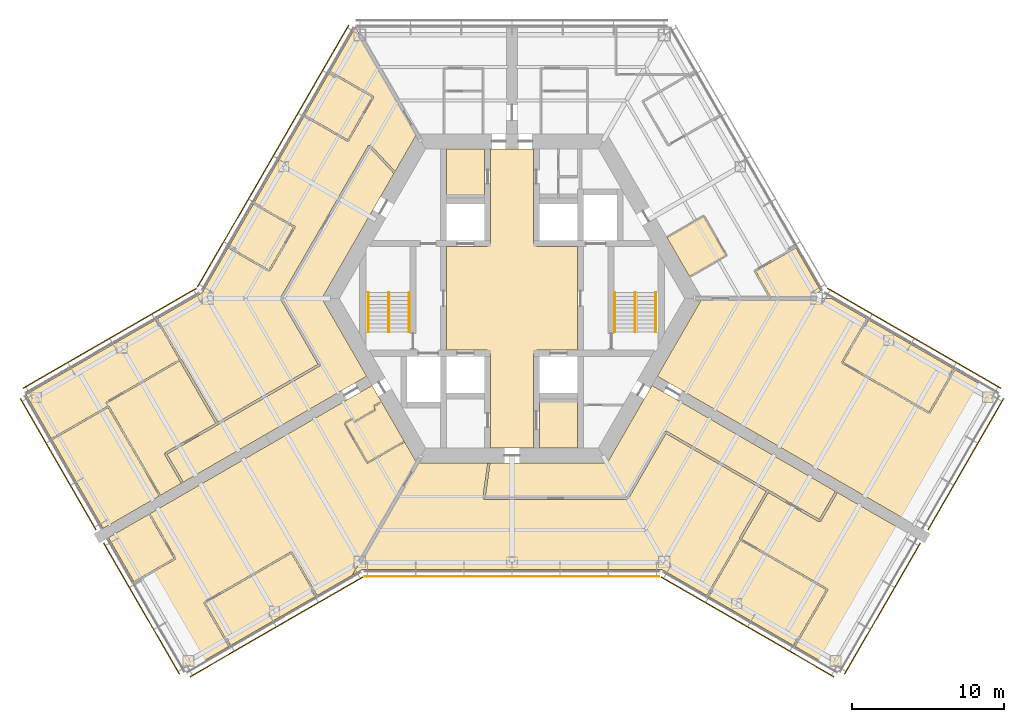
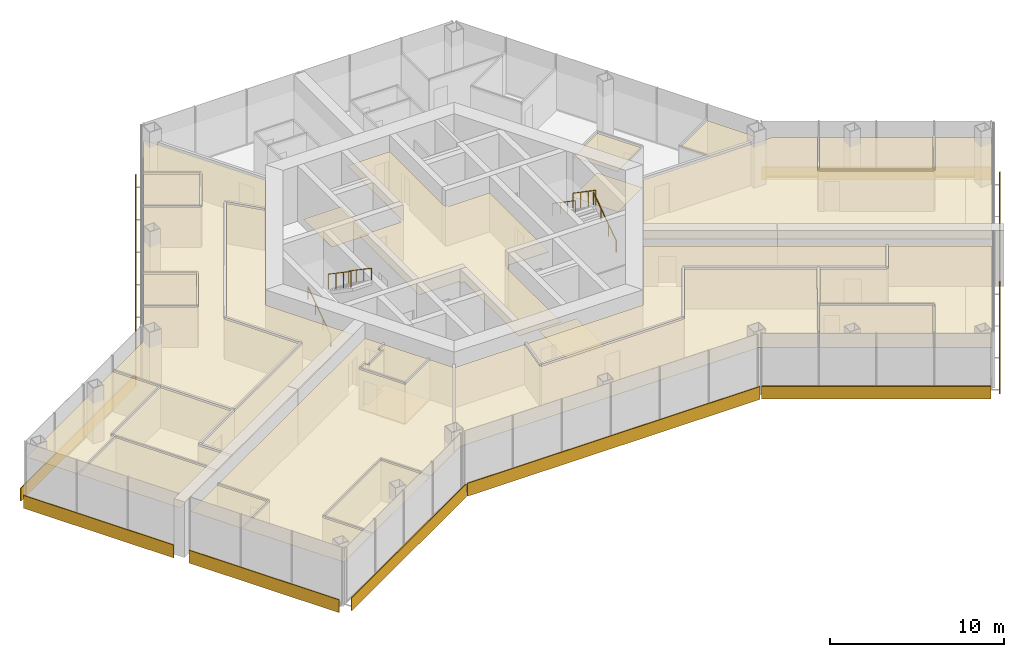
# One storey, part 17 of 18: 24 coverings, 10 shading devices, 6 railings.
"""IFC4 building model written with IfcOpenShell, lengths in metres."""

from ifc_helpers import new_model, si_unit, direction, frame, origin, origin_2d, place, context, subcontext, project, spatial, polyline, rectangle, circle, outline, extrude, material, layer, layer_set, type_object, element, save


model = new_model("IFC4")

# Units and contexts
model_context = context("Model", 3, precision=1e-05, world=origin(), true_north=direction((0.0, 1.0)))
body_context = subcontext(model_context, "Body", "Model", "MODEL_VIEW")
ifc_project = project(units=[si_unit("LENGTHUNIT", "METRE"), si_unit("AREAUNIT", "SQUARE_METRE"), si_unit("VOLUMEUNIT", "CUBIC_METRE"), si_unit("PLANEANGLEUNIT", "RADIAN"), si_unit("MASSUNIT", "GRAM", prefix="KILO")], contexts=[model_context])

# Site, building, storey
site_placement = place(None, origin())
site = spatial("IfcSite", under=ifc_project, at=site_placement, CompositionType="ELEMENT")
building_placement = place(site_placement, origin())
building = spatial("IfcBuilding", under=site, at=building_placement, Name="Kasaneha Research Tower", CompositionType="ELEMENT")
storey_placement = place(building_placement, frame((0.0, 0.0, 152.60009765625)))
storey = spatial("IfcBuildingStorey", under=building, at=storey_placement, Name="L38", CompositionType="ELEMENT", Elevation=152.60009765625)

# Covering
ifc_material_1 = material(Name="Aluminium panel ceiling", Category="aluminium")
ifc_layer_1 = layer(ifc_material_1, 0.0400390625)
ifc_layer_set_1 = layer_set([ifc_layer_1], Name="Lift lobby ceiling 40")
covering_type_1 = type_object("IfcCoveringType", Name="Lift lobby ceiling 40", PredefinedType="CEILING", material=ifc_layer_set_1)
covering_1_placement = place(storey_placement, frame((0.0, 0.0, 2.699951171875)))
element("IfcCovering", 1, at=covering_1_placement, inside=storey, type_object=covering_type_1, Name="Ceiling L38-01", PredefinedType="CEILING", context=body_context, shape_type="SweptSolid", body=[
    extrude(outline(polyline([(1.39990234375, 9.824951171875), (1.39990234375, 3.60009765625), (1.60009765625, 3.60009765625), (1.60009765625, 3.39990234375), (4.300048828125, 3.39990234375), (4.300048828125, -3.39990234375), (1.60009765625, -3.39990234375), (1.60009765625, -3.60009765625), (1.39990234375, -3.60009765625), (1.39990234375, -9.824951171875), (-1.39990234375, -9.824951171875), (-1.39990234375, -3.60009765625), (-1.60009765625, -3.60009765625), (-1.60009765625, -3.39990234375), (-4.300048828125, -3.39990234375), (-4.300048828125, 3.39990234375), (-1.60009765625, 3.39990234375), (-1.60009765625, 3.60009765625), (-1.39990234375, 3.60009765625), (-1.39990234375, 9.824951171875), (1.39990234375, 9.824951171875)])), origin(), (0.0, 0.0, 1.0), 0.0400390625),
])

# Railings
ifc_material_2 = material(Name="Steel", Category="steel")
railing_type_1 = type_object("IfcRailingType", Name="Stair balustrade 1100", PredefinedType="GUARDRAIL", material=ifc_material_2)
for number, where, name in (
    (2, (8.10009765625, 0.39990234375, 2.127197265625), "Stair 1 balustrade L38"),
    (3, (-8.10009765625, 0.39990234375, 2.127197265625), "Stair 2 balustrade L38"),
):
    element("IfcRailing", number, at=place(storey_placement, frame(where)), inside=storey, type_object=railing_type_1, Name=name, PredefinedType="GUARDRAIL", context=body_context, shape_type="SweptSolid", body=[
        extrude(circle(Radius=0.02392578125, at=origin_2d()), frame((0.0, 0.0, 1.076171875), z_axis=(0.0, -0.826215852431, 0.563353676824), x_axis=(1.0, 0.0, 0.0)), (0.0, 0.0, 1.0), 3.146728515625),
        extrude(circle(Radius=0.02099609375, at=origin_2d()), origin(), (0.0, 0.0, 1.0), 1.052001953125),
        extrude(circle(Radius=0.02099609375, at=origin_2d()), frame((0.0, -0.86669921875, 0.5908203125)), (0.0, 0.0, 1.0), 1.052001953125),
        extrude(circle(Radius=0.02099609375, at=origin_2d()), frame((0.0, -1.733154296875, 1.181884765625)), (0.0, 0.0, 1.0), 1.052001953125),
        extrude(circle(Radius=0.02099609375, at=origin_2d()), frame((0.0, -2.599853515625, 1.772705078125)), (0.0, 0.0, 1.0), 1.052001953125),
    ])
ifc_material_3 = material(Name="Steel", Category="steel")
railing_type_2 = type_object("IfcRailingType", Name="Stair handrail 850", PredefinedType="HANDRAIL", material=ifc_material_3)
railing_1_placement = place(storey_placement, frame((9.449951171875, -2.199951171875, 0.17724609375)))
element("IfcRailing", 4, at=railing_1_placement, inside=storey, type_object=railing_type_2, Name="Stair 1 handrail L38", PredefinedType="HANDRAIL", context=body_context, shape_type="SweptSolid", body=[
    extrude(circle(Radius=0.02392578125, at=origin_2d()), frame((0.0, 0.0, 0.826171875), z_axis=(0.0, 0.826215852431, 0.563353676824), x_axis=(-1.0, 0.0, 0.0)), (0.0, 0.0, 1.0), 3.146728515625),
    extrude(circle(Radius=0.02099609375, at=origin_2d()), origin(), (0.0, 0.0, 1.0), 0.802001953125),
    extrude(circle(Radius=0.02099609375, at=origin_2d()), frame((0.0, 0.86669921875, 0.5908203125)), (0.0, 0.0, 1.0), 0.802001953125),
    extrude(circle(Radius=0.02099609375, at=origin_2d()), frame((0.0, 1.733154296875, 1.181884765625)), (0.0, 0.0, 1.0), 0.802001953125),
    extrude(circle(Radius=0.02099609375, at=origin_2d()), frame((0.0, 2.599853515625, 1.772705078125)), (0.0, 0.0, 1.0), 0.802001953125),
])
railing_2_placement = place(storey_placement, frame((6.75, 0.39990234375, 2.127197265625)))
element("IfcRailing", 5, at=railing_2_placement, inside=storey, type_object=railing_type_2, Name="Stair 1 handrail L38", PredefinedType="HANDRAIL", context=body_context, shape_type="SweptSolid", body=[
    extrude(circle(Radius=0.02392578125, at=origin_2d()), frame((0.0, 0.0, 0.826171875), z_axis=(0.0, -0.826215852431, 0.563353676824), x_axis=(1.0, 0.0, 0.0)), (0.0, 0.0, 1.0), 3.146728515625),
    extrude(circle(Radius=0.02099609375, at=origin_2d()), origin(), (0.0, 0.0, 1.0), 0.802001953125),
    extrude(circle(Radius=0.02099609375, at=origin_2d()), frame((0.0, -0.86669921875, 0.5908203125)), (0.0, 0.0, 1.0), 0.802001953125),
    extrude(circle(Radius=0.02099609375, at=origin_2d()), frame((0.0, -1.733154296875, 1.181884765625)), (0.0, 0.0, 1.0), 0.802001953125),
    extrude(circle(Radius=0.02099609375, at=origin_2d()), frame((0.0, -2.599853515625, 1.772705078125)), (0.0, 0.0, 1.0), 0.802001953125),
])
railing_3_placement = place(storey_placement, frame((-9.449951171875, -2.199951171875, 0.17724609375)))
element("IfcRailing", 6, at=railing_3_placement, inside=storey, type_object=railing_type_2, Name="Stair 2 handrail L38", PredefinedType="HANDRAIL", context=body_context, shape_type="SweptSolid", body=[
    extrude(circle(Radius=0.02392578125, at=origin_2d()), frame((0.0, 0.0, 0.826171875), z_axis=(0.0, 0.826215852431, 0.563353676824), x_axis=(-1.0, 0.0, 0.0)), (0.0, 0.0, 1.0), 3.146728515625),
    extrude(circle(Radius=0.02099609375, at=origin_2d()), origin(), (0.0, 0.0, 1.0), 0.802001953125),
    extrude(circle(Radius=0.02099609375, at=origin_2d()), frame((0.0, 0.86669921875, 0.5908203125)), (0.0, 0.0, 1.0), 0.802001953125),
    extrude(circle(Radius=0.02099609375, at=origin_2d()), frame((0.0, 1.733154296875, 1.181884765625)), (0.0, 0.0, 1.0), 0.802001953125),
    extrude(circle(Radius=0.02099609375, at=origin_2d()), frame((0.0, 2.599853515625, 1.772705078125)), (0.0, 0.0, 1.0), 0.802001953125),
])
railing_4_placement = place(storey_placement, frame((-6.75, 0.39990234375, 2.127197265625)))
element("IfcRailing", 7, at=railing_4_placement, inside=storey, type_object=railing_type_2, Name="Stair 2 handrail L38", PredefinedType="HANDRAIL", context=body_context, shape_type="SweptSolid", body=[
    extrude(circle(Radius=0.02392578125, at=origin_2d()), frame((0.0, 0.0, 0.826171875), z_axis=(0.0, -0.826215852431, 0.563353676824), x_axis=(1.0, 0.0, 0.0)), (0.0, 0.0, 1.0), 3.146728515625),
    extrude(circle(Radius=0.02099609375, at=origin_2d()), origin(), (0.0, 0.0, 1.0), 0.802001953125),
    extrude(circle(Radius=0.02099609375, at=origin_2d()), frame((0.0, -0.86669921875, 0.5908203125)), (0.0, 0.0, 1.0), 0.802001953125),
    extrude(circle(Radius=0.02099609375, at=origin_2d()), frame((0.0, -1.733154296875, 1.181884765625)), (0.0, 0.0, 1.0), 0.802001953125),
    extrude(circle(Radius=0.02099609375, at=origin_2d()), frame((0.0, -2.599853515625, 1.772705078125)), (0.0, 0.0, 1.0), 0.802001953125),
])

# Coverings
ifc_material_4 = material(Name="Gypsum ceiling board", Category="gypsum")
ifc_layer_2 = layer(ifc_material_4, 0.02001953125)
ifc_layer_set_2 = layer_set([ifc_layer_2], Name="Suspended ceiling 20")
covering_type_2 = type_object("IfcCoveringType", Name="Suspended ceiling 20", PredefinedType="CEILING", material=ifc_layer_set_2)
covering_2_placement = place(storey_placement, frame((0.0, 0.0, 2.7998046875)))
element("IfcCovering", 8, at=covering_2_placement, inside=storey, type_object=covering_type_2, Name="Ceiling L38-27", PredefinedType="CEILING", context=body_context, shape_type="SweptSolid", body=[
    extrude(outline(polyline([(10.1748046875, 4.02685546875), (10.192138671875, 4.036865234375), (10.217041015625, 3.99365234375), (12.581298828125, 5.358642578125), (14.03125, 2.84716796875), (11.6669921875, 1.482177734375), (11.692138671875, 1.438720703125), (11.6748046875, 1.4287109375), (10.1748046875, 4.02685546875)])), origin(), (0.0, 0.0, 1.0), 0.02001953125),
])
covering_3_placement = place(storey_placement, frame((0.0, 0.0, 2.7998046875)))
element("IfcCovering", 9, at=covering_3_placement, inside=storey, type_object=covering_type_2, Name="Ceiling L38-29", PredefinedType="CEILING", context=body_context, shape_type="SweptSolid", body=[
    extrude(outline(polyline([(19.41845703125, 0.0), (16.997802734375, 0.0), (16.986328125, 0.02001953125), (17.029541015625, 0.044921875), (16.020751953125, 1.792236328125), (18.644775390625, 3.30712890625), (18.619873046875, 3.3505859375), (18.63720703125, 3.360595703125), (20.28759765625, 0.501708984375), (19.41845703125, 0.0)])), origin(), (0.0, 0.0, 1.0), 0.02001953125),
])
covering_4_placement = place(storey_placement, frame((0.0, 0.0, 2.7998046875)))
element("IfcCovering", 10, at=covering_4_placement, inside=storey, type_object=covering_type_2, Name="Ceiling L38-35", PredefinedType="CEILING", context=body_context, shape_type="SweptSolid", body=[
    extrude(outline(polyline([(-9.5498046875, -5.109375), (-10.3291015625, -5.559326171875), (-10.3291015625, -5.559326171875), (-12.17041015625, -6.622314453125), (-21.670166015625, -12.107177734375), (-21.68017578125, -12.08984375), (-21.615234375, -12.05224609375), (-22.667724609375, -10.229248046875), (-19.333984375, -8.3046875), (-19.333984375, -8.3046875), (-12.60400390625, -4.4189453125), (-12.6416015625, -4.35400390625), (-12.57666015625, -4.316650390625), (-15.06884765625, 0.0), (-9.345947265625, 9.912353515625), (-7.7890625, 8.24267578125), (-7.734130859375, 8.2939453125), (-7.719970703125, 8.278564453125), (-12.49951171875, 0.0), (-9.5498046875, -5.109375)])), origin(), (0.0, 0.0, 1.0), 0.02001953125),
])
covering_5_placement = place(storey_placement, frame((0.0, 0.0, 2.7998046875)))
element("IfcCovering", 11, at=covering_5_placement, inside=storey, type_object=covering_type_2, Name="Ceiling L38-36", PredefinedType="CEILING", context=body_context, shape_type="SweptSolid", body=[
    extrude(outline(polyline([(-12.000244140625, 14.85595703125), (-9.185791015625, 13.23095703125), (-10.80126953125, 10.432861328125), (-13.598388671875, 12.0478515625), (-13.623291015625, 12.004638671875), (-13.640869140625, 12.0146484375), (-12.000244140625, 14.85595703125)])), origin(), (0.0, 0.0, 1.0), 0.02001953125),
])
covering_6_placement = place(storey_placement, frame((0.0, 0.0, 2.7998046875)))
element("IfcCovering", 12, at=covering_6_placement, inside=storey, type_object=covering_type_2, Name="Ceiling L38-37", PredefinedType="CEILING", context=body_context, shape_type="SweptSolid", body=[
    extrude(outline(polyline([(-30.224609375, -9.290283203125), (-26.544677734375, -7.172119140625), (-23.19580078125, -12.96484375), (-23.15234375, -12.93994140625), (-23.142333984375, -12.95703125), (-25.3876953125, -14.25341796875), (-26.866455078125, -15.107177734375), (-30.224609375, -9.290283203125)])), origin(), (0.0, 0.0, 1.0), 0.02001953125),
])
covering_7_placement = place(storey_placement, frame((0.0, 0.0, 2.7998046875)))
element("IfcCovering", 13, at=covering_7_placement, inside=storey, type_object=covering_type_2, Name="Ceiling L38-38", PredefinedType="CEILING", context=body_context, shape_type="SweptSolid", body=[
    extrude(outline(polyline([(-16.99658203125, 6.201904296875), (-14.355224609375, 4.677001953125), (-15.970703125, 1.87890625), (-18.5947265625, 3.393798828125), (-18.619873046875, 3.3505859375), (-18.63720703125, 3.360595703125), (-16.99658203125, 6.201904296875)])), origin(), (0.0, 0.0, 1.0), 0.02001953125),
])
covering_8_placement = place(storey_placement, frame((0.0, 0.0, 2.7998046875)))
element("IfcCovering", 14, at=covering_8_placement, inside=storey, type_object=covering_type_2, Name="Ceiling L38-39", PredefinedType="CEILING", context=body_context, shape_type="SweptSolid", body=[
    extrude(outline(polyline([(-23.332275390625, -1.36962890625), (-23.37548828125, -1.39453125), (-21.866455078125, -4.017578125), (-26.691162109375, -6.808837890625), (-26.663818359375, -6.85595703125), (-26.525390625, -7.0966796875), (-26.52587890625, -7.096923828125), (-26.5478515625, -7.058349609375), (-30.275146484375, -9.203857421875), (-31.94189453125, -6.31689453125), (-29.075439453125, -4.661865234375), (-28.665771484375, -5.370849609375), (-29.074951171875, -4.662109375), (-23.34228515625, -1.352294921875), (-23.332275390625, -1.36962890625)])), origin(), (0.0, 0.0, 1.0), 0.02001953125),
])
covering_9_placement = place(storey_placement, frame((0.0, 0.0, 2.7998046875)))
element("IfcCovering", 15, at=covering_9_placement, inside=storey, type_object=covering_type_2, Name="Ceiling L38-40", PredefinedType="CEILING", context=body_context, shape_type="SweptSolid", body=[
    extrude(outline(polyline([(-9.360595703125, 10.037841796875), (-9.360595703125, 10.037841796875), (-9.425048828125, 10.0751953125), (-15.220458984375, 0.03759765625), (-15.15576171875, 0.000244140625), (-15.156005859375, 0.000244140625), (-15.15576171875, -0.000244140625), (-15.220458984375, -0.03759765625), (-12.744140625, -4.32666015625), (-19.33544921875, -8.13232421875), (-21.72900390625, -3.995849609375), (-21.7548828125, -4.0107421875), (-23.288818359375, -1.3447265625), (-23.331787109375, -1.369384765625), (-23.341796875, -1.35205078125), (-20.365966796875, 0.365966796875), (-18.637451171875, 3.360107421875), (-18.6201171875, 3.35009765625), (-18.644775390625, 3.30712890625), (-15.9775390625, 1.76708984375), (-15.952392578125, 1.810546875), (-15.9521484375, 1.810302734375), (-15.9521484375, 1.810302734375), (-15.9091796875, 1.785400390625), (-14.24365234375, 4.670166015625), (-14.28662109375, 4.695068359375), (-14.28662109375, 4.6953125), (-14.286865234375, 4.695556640625), (-14.261962890625, 4.738525390625), (-16.94677734375, 6.28857421875), (-13.64111328125, 12.01416015625), (-13.62353515625, 12.004150390625), (-13.6484375, 11.961181640625), (-10.807861328125, 10.3212890625), (-10.782958984375, 10.3642578125), (-10.78271484375, 10.364013671875), (-10.782470703125, 10.3642578125), (-10.739501953125, 10.339599609375), (-9.07421875, 13.22412109375), (-9.116943359375, 13.2490234375), (-9.116943359375, 13.2490234375), (-9.117431640625, 13.249267578125), (-9.09228515625, 13.29248046875), (-11.9501953125, 14.9423828125), (-10.28857421875, 17.820556640625), (-6.249755859375, 10.824951171875), (-7.6806640625, 8.346435546875), (-9.305419921875, 10.0888671875), (-9.360107421875, 10.03759765625), (-9.3603515625, 10.03759765625), (-9.360595703125, 10.037841796875)])), origin(), (0.0, 0.0, 1.0), 0.02001953125),
])
covering_10_placement = place(storey_placement, frame((0.0, 0.0, 2.7998046875)))
element("IfcCovering", 16, at=covering_10_placement, inside=storey, type_object=covering_type_2, Name="Ceiling L38-41", PredefinedType="CEILING", context=body_context, shape_type="SweptSolid", body=[
    extrude(outline(polyline([(-22.574462890625, -12.629150390625), (-23.14208984375, -12.956787109375), (-23.152099609375, -12.939453125), (-23.109130859375, -12.914794921875), (-26.48583984375, -7.073974609375), (-26.52490234375, -7.096435546875), (-26.65966796875, -6.863037109375), (-26.64111328125, -6.895263671875), (-21.833740234375, -4.1142578125), (-19.46533203125, -8.207275390625), (-22.8076171875, -10.136962890625), (-22.770263671875, -10.201904296875), (-22.835205078125, -10.239501953125), (-21.7451171875, -12.127197265625), (-21.6806640625, -12.090087890625), (-21.670654296875, -12.107421875), (-22.574462890625, -12.629150390625)])), origin(), (0.0, 0.0, 1.0), 0.02001953125),
])
covering_11_placement = place(storey_placement, frame((0.0, 0.0, 2.7998046875)))
element("IfcCovering", 17, at=covering_11_placement, inside=storey, type_object=covering_type_2, Name="Ceiling L38-42", PredefinedType="CEILING", context=body_context, shape_type="SweptSolid", body=[
    extrude(outline(polyline([(-10.35498046875, -8.11474609375), (-10.35498046875, -8.11474609375), (-10.330078125, -8.157958984375), (-8.9443359375, -7.35791015625), (-8.994384765625, -7.271240234375), (-8.994384765625, -7.271240234375), (-9.09423828125, -7.09814453125), (-9.09423828125, -7.09814453125), (-9.0693359375, -7.141357421875), (-8.56689453125, -6.851318359375), (-8.592041015625, -6.80810546875), (-8.57470703125, -6.798095703125), (-7.07470703125, -9.396240234375), (-7.092041015625, -9.40625), (-7.116943359375, -9.36279296875), (-9.481201171875, -10.727783203125), (-10.931396484375, -8.21630859375), (-10.455078125, -7.94140625), (-10.35498046875, -8.11474609375)])), origin(), (0.0, 0.0, 1.0), 0.02001953125),
])
covering_12_placement = place(storey_placement, frame((0.0, 0.0, 2.7998046875)))
element("IfcCovering", 18, at=covering_12_placement, inside=storey, type_object=covering_type_2, Name="Ceiling L38-43", PredefinedType="CEILING", context=body_context, shape_type="SweptSolid", body=[
    extrude(outline(polyline([(-18.574951171875, -22.8486328125), (-18.5849609375, -22.831298828125), (-18.541748046875, -22.806396484375), (-20.15673828125, -20.009033203125), (-14.510498046875, -16.749267578125), (-12.885498046875, -19.563720703125), (-18.574951171875, -22.8486328125)])), origin(), (0.0, 0.0, 1.0), 0.02001953125),
])
covering_13_placement = place(storey_placement, frame((0.0, 0.0, 2.7998046875)))
element("IfcCovering", 19, at=covering_13_placement, inside=storey, type_object=covering_type_2, Name="Ceiling L38-44", PredefinedType="CEILING", context=body_context, shape_type="SweptSolid", body=[
    extrude(outline(polyline([(-23.83154296875, -14.163330078125), (-23.82177734375, -14.1806640625), (-23.864990234375, -14.205810546875), (-22.208251953125, -17.0751953125), (-24.849609375, -18.60009765625), (-26.516357421875, -15.71337890625), (-23.83154296875, -14.163330078125)])), origin(), (0.0, 0.0, 1.0), 0.02001953125),
])
covering_14_placement = place(storey_placement, frame((0.0, 0.0, 2.7998046875)))
element("IfcCovering", 20, at=covering_14_placement, inside=storey, type_object=covering_type_2, Name="Ceiling L38-45", PredefinedType="CEILING", context=body_context, shape_type="SweptSolid", body=[
    extrude(outline(polyline([(-9.979248046875, -6.16552734375), (-9.979248046875, -6.16552734375), (-9.19970703125, -5.715576171875), (-8.574951171875, -6.797607421875), (-8.59228515625, -6.8076171875), (-8.616943359375, -6.764892578125), (-9.119384765625, -7.0546875), (-9.094482421875, -7.09765625), (-9.0947265625, -7.097900390625), (-8.99462890625, -7.271484375), (-10.379638671875, -8.071044921875), (-10.47998046875, -7.897705078125), (-10.480224609375, -7.897705078125), (-10.5048828125, -7.854736328125), (-11.024658203125, -8.15478515625), (-10.999755859375, -8.19775390625), (-11.0, -8.197998046875), (-11.0, -8.1982421875), (-11.04296875, -8.22314453125), (-9.54296875, -10.8212890625), (-9.5, -10.79638671875), (-9.5, -10.796630859375), (-9.49951171875, -10.79638671875), (-9.474609375, -10.839599609375), (-7.06689453125, -9.449462890625), (-7.091796875, -9.40673828125), (-7.074462890625, -9.396728515625), (-6.249755859375, -10.824951171875), (-10.5, -18.1865234375), (-12.798828125, -19.513916015625), (-14.448974609375, -16.656005859375), (-14.4921875, -16.680908203125), (-14.51708984375, -16.6376953125), (-20.25, -19.947509765625), (-20.225341796875, -19.990234375), (-20.225341796875, -19.990478515625), (-20.22509765625, -19.99072265625), (-20.268310546875, -20.015625), (-18.62841796875, -22.856201171875), (-18.58544921875, -22.83154296875), (-18.575439453125, -22.848876953125), (-21.44140625, -24.50341796875), (-24.7998046875, -18.686767578125), (-22.114990234375, -17.13671875), (-22.139892578125, -17.09375), (-22.139404296875, -17.093505859375), (-22.1396484375, -17.09326171875), (-22.0966796875, -17.068359375), (-23.7783203125, -14.15576171875), (-23.8212890625, -14.180419921875), (-23.831298828125, -14.1630859375), (-10.84521484375, -6.66552734375), (-10.84521484375, -6.66552734375), (-9.979248046875, -6.16552734375)])), origin(), (0.0, 0.0, 1.0), 0.02001953125),
])
covering_15_placement = place(storey_placement, frame((0.0, 0.0, 2.7998046875)))
element("IfcCovering", 21, at=covering_15_placement, inside=storey, type_object=covering_type_2, Name="Ceiling L38-46", PredefinedType="CEILING", context=body_context, shape_type="SweptSolid", body=[
    extrude(outline(polyline([(29.03173828125, -4.636962890625), (27.40673828125, -7.45166015625), (21.760498046875, -4.19189453125), (23.37548828125, -1.39453125), (23.332275390625, -1.36962890625), (23.34228515625, -1.352294921875), (29.03173828125, -4.636962890625)])), origin(), (0.0, 0.0, 1.0), 0.02001953125),
])
covering_16_placement = place(storey_placement, frame((0.0, 0.0, 2.7998046875)))
element("IfcCovering", 22, at=covering_16_placement, inside=storey, type_object=covering_type_2, Name="Ceiling L38-47", PredefinedType="CEILING", context=body_context, shape_type="SweptSolid", body=[
    extrude(outline(polyline([(9.5498046875, -5.109375), (12.49951171875, 0.0), (16.93994140625, 0.0), (16.94287109375, -0.0048828125), (16.95166015625, 0.0), (21.0, 0.0), (23.341796875, -1.35205078125), (23.331787109375, -1.369384765625), (23.288818359375, -1.344482421875), (21.64892578125, -4.185302734375), (21.692138671875, -4.210205078125), (21.69189453125, -4.21044921875), (21.69189453125, -4.210693359375), (21.667236328125, -4.25341796875), (27.39990234375, -7.563232421875), (27.425048828125, -7.52001953125), (27.46826171875, -7.544921875), (29.1181640625, -4.68701171875), (31.94140625, -6.31689453125), (26.866455078125, -15.107177734375), (14.286376953125, -7.843994140625), (10.3291015625, -5.559326171875), (10.3291015625, -5.559326171875), (9.5498046875, -5.109375)])), origin(), (0.0, 0.0, 1.0), 0.02001953125),
])
covering_17_placement = place(storey_placement, frame((0.0, 0.0, 2.7998046875)))
element("IfcCovering", 23, at=covering_17_placement, inside=storey, type_object=covering_type_2, Name="Ceiling L38-48", PredefinedType="CEILING", context=body_context, shape_type="SweptSolid", body=[
    extrude(outline(polyline([(10.091552734375, -8.77099609375), (10.026611328125, -8.7333984375), (7.534423828125, -13.050048828125), (-1.75830078125, -13.050048828125), (-1.449951171875, -10.85546875), (-1.524169921875, -10.844970703125), (-1.521240234375, -10.824951171875), (6.249755859375, -10.824951171875), (9.19970703125, -5.715576171875), (9.979248046875, -6.16552734375), (9.979248046875, -6.16552734375), (10.84521484375, -6.66552734375), (10.84521484375, -6.66552734375), (16.76171875, -10.08154296875), (21.320068359375, -12.71337890625), (21.310302734375, -12.730712890625), (21.245361328125, -12.693115234375), (20.19287109375, -14.51611328125), (16.850341796875, -12.58642578125), (16.850341796875, -12.58642578125), (10.129150390625, -8.7060546875), (10.091552734375, -8.77099609375), (10.091552734375, -8.770751953125), (10.091552734375, -8.77099609375)])), origin(), (0.0, 0.0, 1.0), 0.02001953125),
])
covering_18_placement = place(storey_placement, frame((0.0, 0.0, 2.7998046875)))
element("IfcCovering", 24, at=covering_18_placement, inside=storey, type_object=covering_type_2, Name="Ceiling L38-49", PredefinedType="CEILING", context=body_context, shape_type="SweptSolid", body=[
    extrude(outline(polyline([(12.885498046875, -19.563720703125), (15.012451171875, -15.889404296875), (20.65673828125, -19.14306640625), (18.541748046875, -22.806396484375), (18.5849609375, -22.831298828125), (18.574951171875, -22.8486328125), (12.885498046875, -19.563720703125)])), origin(), (0.0, 0.0, 1.0), 0.02001953125),
])
covering_19_placement = place(storey_placement, frame((0.0, 0.0, 2.7998046875)))
element("IfcCovering", 25, at=covering_19_placement, inside=storey, type_object=covering_type_2, Name="Ceiling L38-50", PredefinedType="CEILING", context=body_context, shape_type="SweptSolid", body=[
    extrude(outline(polyline([(-6.249755859375, -10.824951171875), (-1.52197265625, -10.824951171875), (-1.524658203125, -10.844970703125), (-1.598388671875, -10.83447265625), (-1.9189453125, -13.114501953125), (-1.8447265625, -13.125), (-1.8447265625, -13.12548828125), (-1.844482421875, -13.12548828125), (-1.844482421875, -13.199951171875), (7.57763671875, -13.199951171875), (7.57763671875, -13.12548828125), (7.577880859375, -13.12548828125), (7.577880859375, -13.125244140625), (7.642578125, -13.16259765625), (10.119140625, -8.873291015625), (16.71044921875, -12.678955078125), (14.9248046875, -15.78125), (14.95068359375, -15.796142578125), (12.798828125, -19.513916015625), (9.865966796875, -17.820556640625), (-9.865966796875, -17.820556640625), (-10.5, -18.1865234375), (-6.249755859375, -10.824951171875)])), origin(), (0.0, 0.0, 1.0), 0.02001953125),
])
covering_20_placement = place(storey_placement, frame((0.0, 0.0, 2.7998046875)))
element("IfcCovering", 26, at=covering_20_placement, inside=storey, type_object=covering_type_2, Name="Ceiling L38-51", PredefinedType="CEILING", context=body_context, shape_type="SweptSolid", body=[
    extrude(outline(polyline([(20.220458984375, -14.61865234375), (20.28515625, -14.656005859375), (21.375244140625, -12.768310546875), (21.310546875, -12.73095703125), (21.320556640625, -12.713623046875), (25.57421875, -15.16943359375), (26.516357421875, -15.71337890625), (21.44140625, -24.50341796875), (18.575439453125, -22.848876953125), (18.58544921875, -22.83154296875), (18.62841796875, -22.856201171875), (20.768310546875, -19.149658203125), (20.72509765625, -19.124755859375), (20.725341796875, -19.12451171875), (20.725341796875, -19.124267578125), (20.75, -19.081298828125), (15.079833984375, -15.812744140625), (16.84033203125, -12.75390625), (20.1826171875, -14.68359375), (20.219970703125, -14.618896484375), (20.22021484375, -14.619140625), (20.220458984375, -14.61865234375)])), origin(), (0.0, 0.0, 1.0), 0.02001953125),
])

# Shading devices
ifc_material_5 = material(Name="Terracotta", Category="masonry")
ifc_layer_3 = layer(ifc_material_5, 0.06005859375)
ifc_layer_set_3 = layer_set([ifc_layer_3], Name="Terracotta baguette screen")
shading_device_type = type_object("IfcShadingDeviceType", Name="Terracotta baguette screen", PredefinedType="USERDEFINED", material=ifc_layer_set_3)
shading_device_1_placement = place(storey_placement, frame((0.0, -18.2705078125, -0.449951171875), z_axis=(0.0, 0.0, 1.0), x_axis=(1.0, 0.0, 0.0)))
element("IfcShadingDevice", 27, at=shading_device_1_placement, inside=storey, type_object=shading_device_type, Name="Baguette screen L38 01", ObjectType="TERRACOTTA BAGUETTE SCREEN", PredefinedType="USERDEFINED", context=body_context, shape_type="SweptSolid", body=[
    extrude(rectangle(XDim=19.37841796875, YDim=0.06005859375, at=origin_2d()), origin(), (0.0, 0.0, 1.0), 0.89990234375),
])
shading_device_2_placement = place(storey_placement, frame((15.483642578125, -21.58349609375, -0.449951171875), z_axis=(0.0, 0.0, 1.0), x_axis=(0.866025411464, -0.499999986699, 0.0)))
element("IfcShadingDevice", 28, at=shading_device_2_placement, inside=storey, type_object=shading_device_type, Name="Baguette screen L38 02", ObjectType="TERRACOTTA BAGUETTE SCREEN", PredefinedType="USERDEFINED", context=body_context, shape_type="SweptSolid", body=[
    extrude(rectangle(XDim=13.13916015625, YDim=0.06005859375, at=origin_2d()), origin(), (0.0, 0.0, 1.0), 0.89990234375),
])
for number, where, z_axis, x_axis, name in (
    (29, (24.343505859375, -20.376708984375, -0.449951171875), (0.0, 0.0, 1.0), (0.500000011442, 0.866025397178, 0.0), "Baguette screen L38 03"),
    (30, (29.818603515625, -10.893798828125, -0.449951171875), (0.0, 0.0, 1.0), (0.500000011442, 0.866025397178, 0.0), "Baguette screen L38 04"),
):
    element("IfcShadingDevice", number, at=place(storey_placement, frame(where, z_axis=z_axis, x_axis=x_axis)), inside=storey, type_object=shading_device_type, Name=name, ObjectType="TERRACOTTA BAGUETTE SCREEN", PredefinedType="USERDEFINED", context=body_context, shape_type="SweptSolid", body=[
        extrude(rectangle(XDim=9.949951171875, YDim=0.06005859375, at=origin_2d()), origin(), (0.0, 0.0, 1.0), 0.89990234375),
    ])
shading_device_3_placement = place(storey_placement, frame((26.43359375, -2.617431640625, -0.449951171875), z_axis=(0.0, 0.0, 1.0), x_axis=(-0.866025411464, 0.499999986699, 0.0)))
element("IfcShadingDevice", 31, at=shading_device_3_placement, inside=storey, type_object=shading_device_type, Name="Baguette screen L38 05", ObjectType="TERRACOTTA BAGUETTE SCREEN", PredefinedType="USERDEFINED", context=body_context, shape_type="SweptSolid", body=[
    extrude(rectangle(XDim=13.13916015625, YDim=0.06005859375, at=origin_2d()), origin(), (0.0, 0.0, 1.0), 0.89990234375),
])
shading_device_4_placement = place(storey_placement, frame((-15.696044921875, 9.35498046875, -0.449951171875), z_axis=(0.0, 0.0, 1.0), x_axis=(-0.499999979232, -0.866025415775, 0.0)))
element("IfcShadingDevice", 32, at=shading_device_4_placement, inside=storey, type_object=shading_device_type, Name="Baguette screen L38 08", ObjectType="TERRACOTTA BAGUETTE SCREEN", PredefinedType="USERDEFINED", context=body_context, shape_type="SweptSolid", body=[
    extrude(rectangle(XDim=19.8857421875, YDim=0.06005859375, at=origin_2d()), origin(), (0.0, 0.0, 1.0), 0.89990234375),
])
shading_device_5_placement = place(storey_placement, frame((-26.43359375, -2.617431640625, -0.449951171875), z_axis=(0.0, 0.0, 1.0), x_axis=(-0.866025411464, -0.499999986699, 0.0)))
element("IfcShadingDevice", 33, at=shading_device_5_placement, inside=storey, type_object=shading_device_type, Name="Baguette screen L38 09", ObjectType="TERRACOTTA BAGUETTE SCREEN", PredefinedType="USERDEFINED", context=body_context, shape_type="SweptSolid", body=[
    extrude(rectangle(XDim=13.13916015625, YDim=0.06005859375, at=origin_2d()), origin(), (0.0, 0.0, 1.0), 0.89990234375),
])
for number, where, z_axis, x_axis, name in (
    (34, (-29.818603515625, -10.893798828125, -0.449951171875), (0.0, 0.0, 1.0), (0.500000011442, -0.866025397178, 0.0), "Baguette screen L38 10"),
    (35, (-24.343505859375, -20.376708984375, -0.449951171875), (0.0, 0.0, 1.0), (0.500000011442, -0.866025397178, 0.0), "Baguette screen L38 11"),
):
    element("IfcShadingDevice", number, at=place(storey_placement, frame(where, z_axis=z_axis, x_axis=x_axis)), inside=storey, type_object=shading_device_type, Name=name, ObjectType="TERRACOTTA BAGUETTE SCREEN", PredefinedType="USERDEFINED", context=body_context, shape_type="SweptSolid", body=[
        extrude(rectangle(XDim=9.949951171875, YDim=0.06005859375, at=origin_2d()), origin(), (0.0, 0.0, 1.0), 0.89990234375),
    ])
shading_device_6_placement = place(storey_placement, frame((-15.483642578125, -21.58349609375, -0.449951171875), z_axis=(0.0, 0.0, 1.0), x_axis=(0.866025411464, 0.499999986699, 0.0)))
element("IfcShadingDevice", 36, at=shading_device_6_placement, inside=storey, type_object=shading_device_type, Name="Baguette screen L38 12", ObjectType="TERRACOTTA BAGUETTE SCREEN", PredefinedType="USERDEFINED", context=body_context, shape_type="SweptSolid", body=[
    extrude(rectangle(XDim=13.13916015625, YDim=0.06005859375, at=origin_2d()), origin(), (0.0, 0.0, 1.0), 0.89990234375),
])

# Coverings
ifc_material_6 = material(Name="Vinyl sheet flooring", Category="plastic")
ifc_layer_4 = layer(ifc_material_6, 0.0048828125)
ifc_layer_set_4 = layer_set([ifc_layer_4], Name="Wet room sheet flooring 5")
covering_type_3 = type_object("IfcCoveringType", Name="Wet room sheet flooring 5", PredefinedType="FLOORING", material=ifc_layer_set_4)
covering_21_placement = place(storey_placement, origin())
element("IfcCovering", 37, at=covering_21_placement, inside=storey, type_object=covering_type_3, Name="Floor finish L38-06", PredefinedType="FLOORING", context=body_context, shape_type="SweptSolid", body=[
    extrude(outline(polyline([(-1.800048828125, 9.824951171875), (-1.800048828125, 6.60009765625), (-4.300048828125, 6.60009765625), (-4.300048828125, 9.824951171875), (-1.800048828125, 9.824951171875)])), origin(), (0.0, 0.0, 1.0), 0.0048828125),
])
covering_22_placement = place(storey_placement, origin())
element("IfcCovering", 38, at=covering_22_placement, inside=storey, type_object=covering_type_3, Name="Floor finish L38-11", PredefinedType="FLOORING", context=body_context, shape_type="SweptSolid", body=[
    extrude(outline(polyline([(1.800048828125, -9.824951171875), (1.800048828125, -6.60009765625), (4.300048828125, -6.60009765625), (4.300048828125, -9.824951171875), (1.800048828125, -9.824951171875)])), origin(), (0.0, 0.0, 1.0), 0.0048828125),
])
covering_23_placement = place(storey_placement, origin())
element("IfcCovering", 39, at=covering_23_placement, inside=storey, type_object=covering_type_3, Name="Floor finish L38-27", PredefinedType="FLOORING", context=body_context, shape_type="SweptSolid", body=[
    extrude(outline(polyline([(14.099609375, 2.828857421875), (11.6748046875, 1.4287109375), (10.1748046875, 4.02685546875), (12.599609375, 5.4267578125), (14.099609375, 2.828857421875)])), origin(), (0.0, 0.0, 1.0), 0.0048828125),
])
covering_24_placement = place(storey_placement, origin())
element("IfcCovering", 40, at=covering_24_placement, inside=storey, type_object=covering_type_3, Name="Floor finish L38-42", PredefinedType="FLOORING", context=body_context, shape_type="SweptSolid", body=[
    extrude(outline(polyline([(-10.99951171875, -8.1982421875), (-10.47998046875, -7.898193359375), (-10.35498046875, -8.11474609375), (-8.96923828125, -7.314697265625), (-9.09423828125, -7.09814453125), (-8.57470703125, -6.798095703125), (-7.07470703125, -9.396240234375), (-9.49951171875, -10.796142578125), (-10.99951171875, -8.1982421875)])), origin(), (0.0, 0.0, 1.0), 0.0048828125),
])

save(model, "model.ifc")
